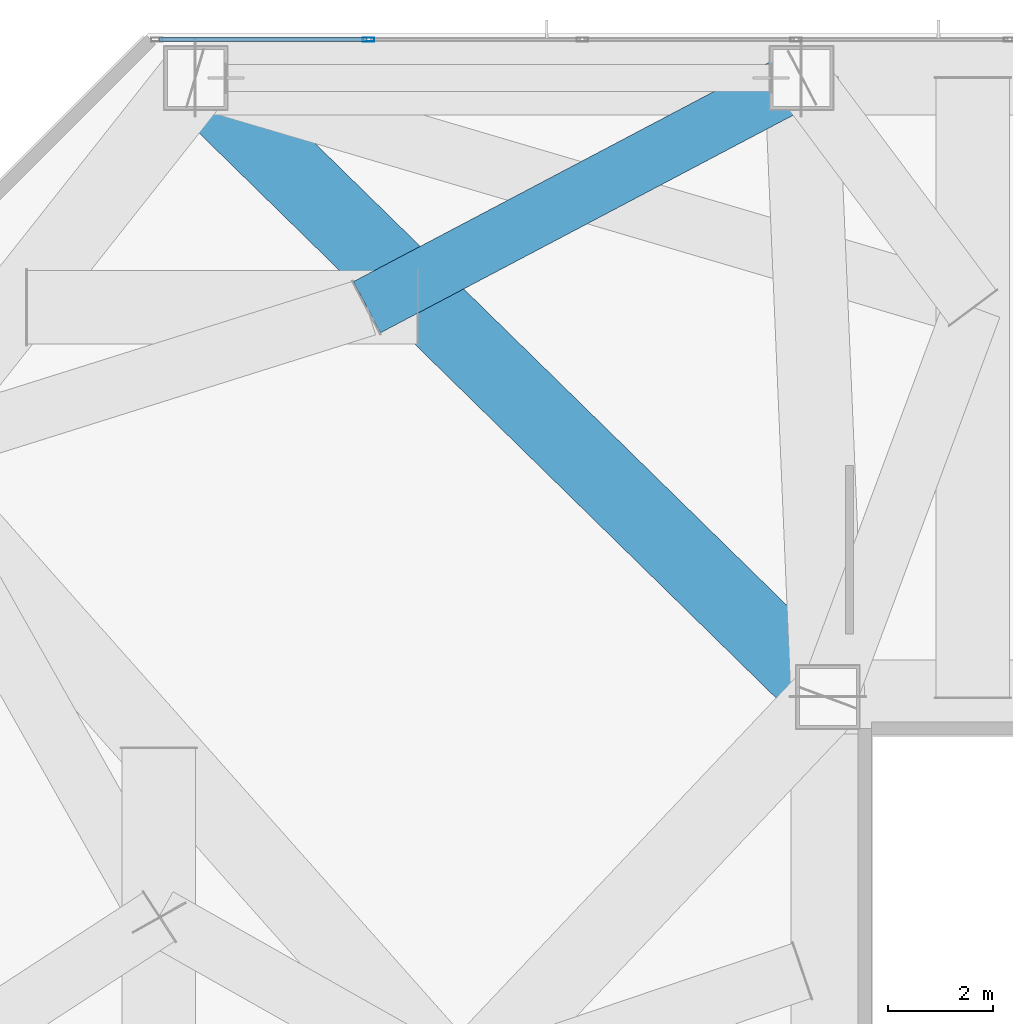
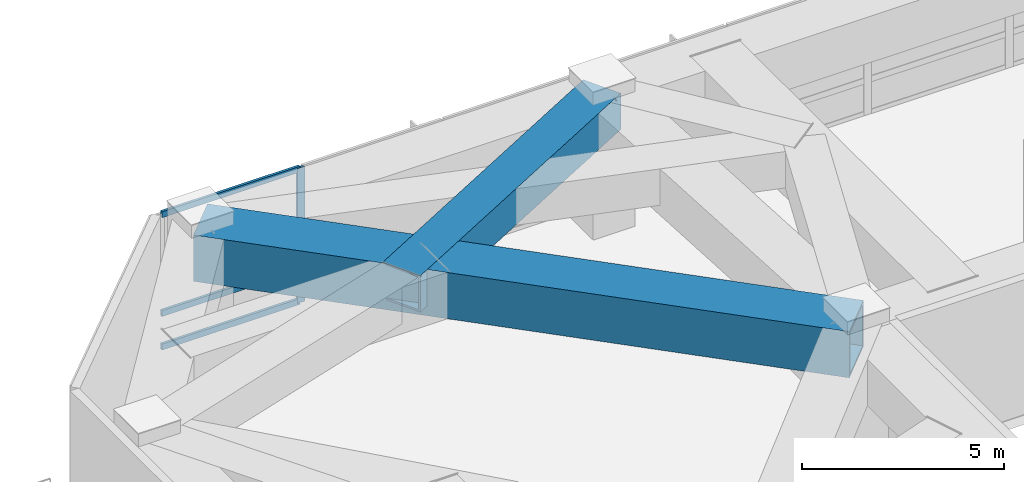
# One storey, part 4 of 27: 4 members, 2 beams, 1 element without a shape of its own.
"""IFC4 building model written with IfcOpenShell, lengths in metres."""

from ifc_helpers import new_model, si_unit, direction, frame, origin, origin_2d, place, context, subcontext, project, spatial, hollow_rectangle, extrude, material, material_profile, profile_set, type_object, element, aggregate, save


model = new_model("IFC4")

# Units and contexts
model_context = context("Model", 3, precision=1e-05, world=origin(), true_north=direction((0.0, 1.0)))
body_context = subcontext(model_context, "Body", "Model", "MODEL_VIEW")
ifc_project = project(units=[si_unit("LENGTHUNIT", "METRE"), si_unit("AREAUNIT", "SQUARE_METRE"), si_unit("VOLUMEUNIT", "CUBIC_METRE"), si_unit("PLANEANGLEUNIT", "RADIAN"), si_unit("MASSUNIT", "GRAM", prefix="KILO")], contexts=[model_context])

# Site, building, storey
site_placement = place(None, origin())
site = spatial("IfcSite", under=ifc_project, at=site_placement, CompositionType="ELEMENT")
building_placement = place(site_placement, origin())
building = spatial("IfcBuilding", under=site, at=building_placement, Name="Khamvora Tower", CompositionType="ELEMENT")
storey_placement = place(building_placement, frame((0.0, 0.0, 28.800048828125)))
storey = spatial("IfcBuildingStorey", under=building, at=storey_placement, Name="L06", CompositionType="ELEMENT", Elevation=28.800048828125)

# Beams
ifc_material_1 = material(Name="Steel S460", Category="steel")
ifc_material_profile_1 = material_profile(ifc_material_1, hollow_rectangle(XDim=1.10009765625, YDim=1.10009765625, WallThickness=0.054931640625, at=origin_2d()), Name="BOX1100x1100x55")
ifc_profile_set_1 = profile_set([ifc_material_profile_1], Name="Steel S460")
beam_type_1 = type_object("IfcBeamType", Name="BM-TG-BOX1100", PredefinedType="BEAM", material=ifc_profile_set_1)
beam_1_placement = place(storey_placement, frame((18.0, 55.14990234375, 3.530029296875), z_axis=(-0.884575580342, -0.466396872483, 0.0), x_axis=(0.466396872483, -0.884575580342, 0.0)))
element("IfcBeam", 1, at=beam_1_placement, inside=storey, type_object=beam_type_1, Name="L06 setback frame transfer frame transfer link N1.2", PredefinedType="BEAM", context=body_context, shape_type="SweptSolid", body=[
    extrude(hollow_rectangle(XDim=1.10009765625, YDim=1.10009765625, WallThickness=0.054931640625, at=origin_2d()), origin(), (0.0, 0.0, 1.0), 9.326416015625),
])
ifc_material_profile_2 = material_profile(ifc_material_1, hollow_rectangle(XDim=1.39990234375, YDim=1.39990234375, WallThickness=0.070068359375, at=origin_2d()), Name="BOX1400x1400x70")
ifc_profile_set_2 = profile_set([ifc_material_profile_2], Name="Steel S460")
beam_type_2 = type_object("IfcBeamType", Name="BM-TG-BOX1400", PredefinedType="BEAM", material=ifc_profile_set_2)
beam_2_placement = place(storey_placement, frame((18.5, 43.39990234375, 3.3798828125), z_axis=(-0.714510426493, 0.699624792608, 0.0), x_axis=(-0.699624792608, -0.714510426493, 0.0)))
element("IfcBeam", 2, at=beam_2_placement, inside=storey, type_object=beam_type_2, Name="L06 primary floor girder P05", PredefinedType="BEAM", context=body_context, shape_type="SweptSolid", body=[
    extrude(hollow_rectangle(XDim=1.39990234375, YDim=1.39990234375, WallThickness=0.070068359375, at=origin_2d()), origin(), (0.0, 0.0, 1.0), 16.794677734375),
])

# Curtain wall, members
ifc_material_2 = material(Name="Anodised Aluminium 6063-T6", Category="aluminium")
curtain_wall_type = type_object("IfcCurtainWallType", Name="CW-SYS-01", PredefinedType="NOTDEFINED", material=ifc_material_2)
curtain_wall_placement = place(storey_placement, origin())
curtain_wall = element("IfcCurtainWall", 3, at=curtain_wall_placement, inside=storey, type_object=curtain_wall_type, Name="L06 stick curtain wall 07.1", PredefinedType="NOTDEFINED")
ifc_material_profile_3 = material_profile(ifc_material_2, hollow_rectangle(XDim=0.074951171875, YDim=0.219970703125, WallThickness=0.0048828125, at=origin_2d()), Name="MUL75x220x5")
ifc_profile_set_3 = profile_set([ifc_material_profile_3], Name="Anodised Aluminium 6063-T6")
member_type_1 = type_object("IfcMemberType", Name="CW-SYS-01-MUL", PredefinedType="MULLION", material=ifc_profile_set_3)
member_1_placement = place(storey_placement, frame((9.78369140625, 55.8798828125, 0.0), z_axis=(0.0, 0.0, 1.0), x_axis=(0.0, 1.0, 0.0)))
member_1 = element("IfcMember", 4, at=member_1_placement, type_object=member_type_1, Name="CW-01 mullion 2", PredefinedType="MULLION", context=body_context, shape_type="SweptSolid", body=[
    extrude(hollow_rectangle(XDim=0.074951171875, YDim=0.219970703125, WallThickness=0.0048828125, at=origin_2d()), origin(), (0.0, 0.0, 1.0), 4.079833984375),
])
ifc_material_profile_4 = material_profile(ifc_material_2, hollow_rectangle(XDim=0.074951171875, YDim=0.179931640625, WallThickness=0.0048828125, at=origin_2d()), Name="TRN75x180x5")
ifc_profile_set_4 = profile_set([ifc_material_profile_4], Name="Anodised Aluminium 6063-T6")
member_type_2 = type_object("IfcMemberType", Name="CW-SYS-01-TRN", PredefinedType="USERDEFINED", material=ifc_profile_set_4)
member_2_placement = place(storey_placement, frame((5.802001953125, 55.8798828125, 0.037353515625), z_axis=(1.0, 0.0, 0.0), x_axis=(0.0, 1.0, 0.0)))
member_2 = element("IfcMember", 5, at=member_2_placement, type_object=member_type_2, Name="CW-01 transom 1.1", ObjectType="TRANSOM", PredefinedType="USERDEFINED", context=body_context, shape_type="SweptSolid", body=[
    extrude(hollow_rectangle(XDim=0.074951171875, YDim=0.179931640625, WallThickness=0.0048828125, at=origin_2d()), origin(), (0.0, 0.0, 1.0), 3.944091796875),
])
member_3_placement = place(storey_placement, frame((5.802001953125, 55.8798828125, 1.050048828125), z_axis=(1.0, 0.0, 0.0), x_axis=(0.0, 1.0, 0.0)))
member_3 = element("IfcMember", 6, at=member_3_placement, type_object=member_type_2, Name="CW-01 transom 1.2", ObjectType="TRANSOM", PredefinedType="USERDEFINED", context=body_context, shape_type="SweptSolid", body=[
    extrude(hollow_rectangle(XDim=0.074951171875, YDim=0.179931640625, WallThickness=0.0048828125, at=origin_2d()), origin(), (0.0, 0.0, 1.0), 3.944091796875),
])
member_4_placement = place(storey_placement, frame((5.802001953125, 55.8798828125, 4.04248046875), z_axis=(1.0, 0.0, 0.0), x_axis=(0.0, 1.0, 0.0)))
member_4 = element("IfcMember", 7, at=member_4_placement, type_object=member_type_2, Name="CW-01 transom 1.3", ObjectType="TRANSOM", PredefinedType="USERDEFINED", context=body_context, shape_type="SweptSolid", body=[
    extrude(hollow_rectangle(XDim=0.074951171875, YDim=0.179931640625, WallThickness=0.0048828125, at=origin_2d()), origin(), (0.0, 0.0, 1.0), 3.944091796875),
])
aggregate(curtain_wall, [member_1, member_2, member_3, member_4])

save(model, "model.ifc")
